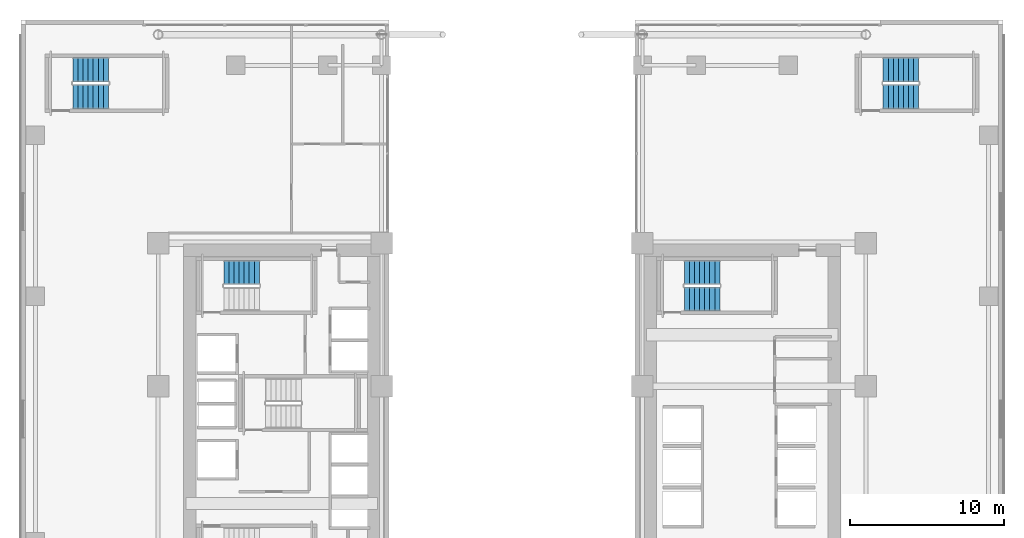
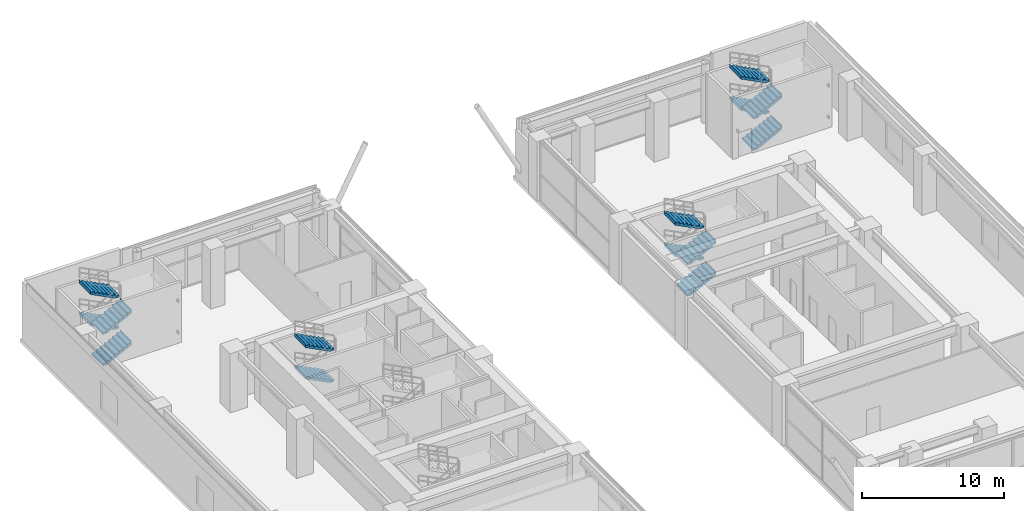
# One storey, part 23 of 29: 14 stair flights, 4 elements without a shape of their own.
"""IFC4 building model written with IfcOpenShell, lengths in metres."""

import ifcopenshell
import ifcopenshell.guid

model = None  # the IFC model being written
_history = None  # IfcOwnerHistory: only IFC2X3 demands one
_inside = {}  # id of a spatial element -> (the spatial element, [elements in it])
_under = {}  # id of a project, library or spatial element -> (it, [spatial elements below it])
_declared = {}  # id of a project -> (the project, [libraries it declares])
_typed = {}  # id of a type object -> (the type object, [elements of that type])
_made_of = {}  # id of a material, layer set ... -> (it, [elements and type objects made of it])


def new_model(schema):
    """Start an empty IFC model of exactly this schema.

    Asked for "IFC4X3", IfcOpenShell would pick the latest addendum, in which some entities
    have other attributes; the version numbers below select the first issue.
    IFC2X3 requires an IfcOwnerHistory on every rooted entity: one is made here for all.
    """
    global model, _history
    if schema == "IFC4X3":
        model = ifcopenshell.file(schema_version=(4, 3, 0, 0))
    else:
        model = ifcopenshell.file(schema=schema)
    _inside.clear()
    _under.clear()
    _declared.clear()
    _typed.clear()
    _made_of.clear()
    _history = None
    if model.schema == "IFC2X3":
        org = make("IfcOrganization", Name="unknown")
        user = make(
            "IfcPersonAndOrganization",
            ThePerson=make("IfcPerson", FamilyName="unknown"),
            TheOrganization=org,
        )
        app = make(
            "IfcApplication",
            ApplicationDeveloper=org,
            Version="unknown",
            ApplicationFullName="unknown",
            ApplicationIdentifier="unknown",
        )
        _history = make(
            "IfcOwnerHistory",
            OwningUser=user,
            OwningApplication=app,
            ChangeAction="ADDED",
            CreationDate=0,
        )
    return model


def make(cls, **values):
    """One entity of the class cls with the attributes given. An attribute that is None is left unset."""
    return model.create_entity(
        cls, **{name: value for name, value in values.items() if value is not None}
    )


def rooted(cls, **values):
    """An entity with a GlobalId (a new one), such as an element, a storey or a relation."""
    return make(cls, GlobalId=ifcopenshell.guid.new(), OwnerHistory=_history, **values)


def si_unit(unit_type, name, prefix=None):
    """IfcSIUnit, for example si_unit("LENGTHUNIT", "METRE", prefix="MILLI")."""
    return make("IfcSIUnit", UnitType=unit_type, Prefix=prefix, Name=name)


def assignment(units):
    """IfcUnitAssignment: the units of a project."""
    return None if units is None else make("IfcUnitAssignment", Units=units)


def point(xyz):
    """IfcCartesianPoint."""
    return None if xyz is None else make("IfcCartesianPoint", Coordinates=xyz)


def direction(xyz):
    """IfcDirection."""
    return None if xyz is None else make("IfcDirection", DirectionRatios=xyz)


def frame(location, z_axis=None, x_axis=None):
    """IfcAxis2Placement3D, a coordinate frame: its origin and axes. An axis left out is left unset."""
    return make(
        "IfcAxis2Placement3D",
        Location=point(location),
        Axis=direction(z_axis),
        RefDirection=direction(x_axis),
    )


def origin():
    """The frame at (0, 0, 0) with its axes left unset."""
    return frame((0.0, 0.0, 0.0))


def place(relative_to, where):
    """IfcLocalPlacement: puts the frame where relative to a parent placement (None: the world)."""
    return make(
        "IfcLocalPlacement", PlacementRelTo=relative_to, RelativePlacement=where
    )


def context(
    kind, dimensions, precision=None, world=None, true_north=None, identifier=None
):
    """IfcGeometricRepresentationContext, for example the 3D "Model" context."""
    return make(
        "IfcGeometricRepresentationContext",
        ContextIdentifier=identifier,
        ContextType=kind,
        CoordinateSpaceDimension=dimensions,
        Precision=precision,
        WorldCoordinateSystem=world,
        TrueNorth=true_north,
    )


def subcontext(parent, identifier, kind, view, scale=None):
    """IfcGeometricRepresentationSubContext, for example "Body" below "Model"."""
    return make(
        "IfcGeometricRepresentationSubContext",
        ContextIdentifier=identifier,
        ContextType=kind,
        ParentContext=parent,
        TargetScale=scale,
        TargetView=view,
    )


def project(units=None, contexts=None):
    """IfcProject with its units and contexts."""
    return rooted(
        "IfcProject",
        Name="project",
        RepresentationContexts=contexts,
        UnitsInContext=assignment(units),
    )


def spatial(cls, under=None, at=None, **own):
    """A site, building, storey or space (cls), placed at a placement, below another one or the project."""
    s = rooted(cls, ObjectPlacement=at, **own)
    if under is not None:
        _under.setdefault(under.id(), (under, []))[1].append(s)
    return s


def polyline(points):
    """IfcPolyline through the points."""
    return make("IfcPolyline", Points=[point(p) for p in points])


def outline(outer, holes=None, kind="AREA"):
    """IfcArbitraryClosedProfileDef: a profile drawn as a closed curve; with holes, ...WithVoids."""
    if holes is None:
        return make("IfcArbitraryClosedProfileDef", ProfileType=kind, OuterCurve=outer)
    return make(
        "IfcArbitraryProfileDefWithVoids",
        ProfileType=kind,
        OuterCurve=outer,
        InnerCurves=holes,
    )


def extrude(swept, where, along, depth):
    """IfcExtrudedAreaSolid: the profile swept, set in the frame where, extruded along a direction by depth."""
    return make(
        "IfcExtrudedAreaSolid",
        SweptArea=swept,
        Position=where,
        ExtrudedDirection=direction(along),
        Depth=depth,
    )


def shape(context_of_items, identifier, shape_type, items):
    """IfcShapeRepresentation: the items that make up one representation, for example the "Body"."""
    return make(
        "IfcShapeRepresentation",
        ContextOfItems=context_of_items,
        RepresentationIdentifier=identifier,
        RepresentationType=shape_type,
        Items=items,
    )


def source(mapping_origin, context_of_items, identifier, shape_type, items):
    """IfcRepresentationMap: a shape defined once, which mapped items show again and again."""
    return make(
        "IfcRepresentationMap",
        MappingOrigin=mapping_origin,
        MappedRepresentation=shape(context_of_items, identifier, shape_type, items),
    )


def transform(
    local_origin,
    x_axis=None,
    y_axis=None,
    z_axis=None,
    scale=None,
    scale2=None,
    scale3=None,
    uniform=True,
):
    """IfcCartesianTransformationOperator3D, or its non-uniform kind. x_axis, y_axis, z_axis: its Axis1, 2, 3."""
    if uniform:
        return make(
            "IfcCartesianTransformationOperator3D",
            Axis1=direction(x_axis),
            Axis2=direction(y_axis),
            LocalOrigin=point(local_origin),
            Scale=scale,
            Axis3=direction(z_axis),
        )
    return make(
        "IfcCartesianTransformationOperator3DnonUniform",
        Axis1=direction(x_axis),
        Axis2=direction(y_axis),
        LocalOrigin=point(local_origin),
        Scale=scale,
        Axis3=direction(z_axis),
        Scale2=scale2,
        Scale3=scale3,
    )


def mapped(mapping_source, mapping_target):
    """IfcMappedItem: shows the shape of a source again, moved by a transform."""
    return make(
        "IfcMappedItem", MappingSource=mapping_source, MappingTarget=mapping_target
    )


def material(Name=None, Category=None):
    """IfcMaterial."""
    return make("IfcMaterial", Name=Name, Category=Category)


def made_of(thing, what):
    """Note that an element or type object is made of a material, layer set ...; save() writes the relation."""
    if what is not None:
        _made_of.setdefault(what.id(), (what, []))[1].append(thing)
    return thing


def type_object(cls, material=None, **own):
    """A type object (cls), such as IfcWallType, which elements share."""
    return made_of(rooted(cls, **own), material)


def element(
    cls,
    number,
    at=None,
    inside=None,
    cuts=None,
    type_object=None,
    material=None,
    context=None,
    identifier="Body",
    shape_type=None,
    held_by="IfcProductDefinitionShape",
    body=None,
    shapes=None,
    **own,
):
    """One element of the class cls, such as IfcWall. Its Tag is "e" and its number.

    at: its placement. inside: the storey or other place that contains it. cuts: it is an
    opening in that element (IfcRelVoidsElement). A single representation is given by context,
    identifier, shape_type and body (its items); several are given by shapes. held_by: the class
    of the entity that holds the representations. save() writes the other relations.
    """
    e = rooted(cls, Tag="e%d" % number, ObjectPlacement=at, **own)
    if body is not None:
        shapes = [shape(context, identifier, shape_type, body)]
    if shapes is not None:
        e.Representation = make(held_by, Representations=shapes)
    if inside is not None:
        _inside.setdefault(inside.id(), (inside, []))[1].append(e)
    if cuts is not None:
        rooted(
            "IfcRelVoidsElement", RelatingBuildingElement=cuts, RelatedOpeningElement=e
        )
    if type_object is not None:
        _typed.setdefault(type_object.id(), (type_object, []))[1].append(e)
    return made_of(e, material)


def aggregate(whole, parts):
    """IfcRelAggregates: a whole, such as a stair, and the parts it consists of."""
    return rooted("IfcRelAggregates", RelatingObject=whole, RelatedObjects=parts)


def save(model, path):
    """Write the relations noted so far, then the file.

    IfcRelAggregates (storeys below a building ...), IfcRelContainedInSpatialStructure (elements
    in a storey), IfcRelDefinesByType, IfcRelAssociatesMaterial and IfcRelDeclares: one each for
    every whole, place, type object, material and project.
    """
    for whole, parts in _under.values():
        aggregate(whole, parts)
    for where, things in _inside.values():
        rooted(
            "IfcRelContainedInSpatialStructure",
            RelatedElements=things,
            RelatingStructure=where,
        )
    for kind, things in _typed.values():
        rooted("IfcRelDefinesByType", RelatedObjects=things, RelatingType=kind)
    for what, things in _made_of.values():
        rooted("IfcRelAssociatesMaterial", RelatedObjects=things, RelatingMaterial=what)
    for by, libraries in _declared.values():
        rooted("IfcRelDeclares", RelatingContext=by, RelatedDefinitions=libraries)
    model.write(path)


model = new_model("IFC4")

# Units and contexts
model_context = context("Model", 3, precision=1e-05, world=origin(), true_north=direction((0.0, 1.0)))
body_context = subcontext(model_context, "Body", "Model", "MODEL_VIEW")
ifc_project = project(units=[si_unit("LENGTHUNIT", "METRE"), si_unit("AREAUNIT", "SQUARE_METRE"), si_unit("VOLUMEUNIT", "CUBIC_METRE"), si_unit("PLANEANGLEUNIT", "RADIAN"), si_unit("MASSUNIT", "GRAM", prefix="KILO")], contexts=[model_context])

# Site, building, storey
site_placement = place(None, origin())
site = spatial("IfcSite", under=ifc_project, at=site_placement, CompositionType="ELEMENT")
building_placement = place(site_placement, origin())
building = spatial("IfcBuilding", under=site, at=building_placement, Name="Ocotamira Hotel", CompositionType="ELEMENT")
storey_placement = place(building_placement, frame((0.0, 0.0, 6.0)))
storey = spatial("IfcBuildingStorey", under=building, at=storey_placement, Name="L02", CompositionType="ELEMENT", Elevation=6.0)

# Stair, stair flights
ifc_material = material(Name="Concrete C40/50", Category="concrete")
stair_type_1 = type_object("IfcStairType", Name="ST-CORE-1560", PredefinedType="HALF_TURN_STAIR", material=ifc_material)
stair_1_placement = place(storey_placement, origin())
stair_1 = element("IfcStair", 1, at=stair_1_placement, inside=storey, type_object=stair_type_1, Name="L02 Exit Stair ST-2", PredefinedType="HALF_TURN_STAIR")
stair_flight_type_1 = type_object("IfcStairFlightType", Name="STF-CORE-1560", PredefinedType="STRAIGHT", material=ifc_material)
shared_shape_1 = source(origin(), body_context, "Body", "SweptSolid", [
    extrude(outline(polyline([(-0.00390625, 0.0), (-0.00390625, 0.168701171875), (0.330078125, 0.168701171875), (0.330078125, 0.33740234375), (0.659912109375, 0.33740234375), (0.659912109375, 0.50634765625), (0.989990234375, 0.50634765625), (0.989990234375, 0.675048828125), (1.320068359375, 0.675048828125), (1.320068359375, 0.84375), (1.64990234375, 0.84375), (1.64990234375, 1.012451171875), (1.97998046875, 1.012451171875), (1.97998046875, 1.18115234375), (2.31005859375, 1.18115234375), (2.31005859375, 1.35009765625), (2.31396484375, 1.35009765625), (2.31396484375, 1.012939453125), (0.329345703125, 0.0), (-0.00390625, 0.0)])), frame((0.0, 0.780029296875, 0.0), z_axis=(0.0, -1.0, 0.0), x_axis=(1.0, 0.0, 0.0)), (0.0, 0.0, 1.0), 1.56005859375),
])
stair_flight_1_placement = place(storey_placement, frame((15.5400390625, 35.550048828125, 1.35009765625), z_axis=(0.0, 0.0, 1.0), x_axis=(-1.0, 0.0, 0.0)))
stair_flight_1 = element("IfcStairFlight", 2, at=stair_flight_1_placement, type_object=stair_flight_type_1, Name="ST-2 flight 2", NumberOfRisers=8, NumberOfTreads=7, PredefinedType="STRAIGHT", RiserHeight=0.16875, TreadLength=0.33, context=body_context, shape_type="MappedRepresentation", body=[
    mapped(shared_shape_1, transform((0.0, 0.0, 0.0), scale=1.0)),
])
stair_flight_2_placement = place(storey_placement, frame((15.5400390625, 35.550048828125, 4.050048828125), z_axis=(0.0, 0.0, 1.0), x_axis=(-1.0, 0.0, 0.0)))
stair_flight_2 = element("IfcStairFlight", 3, at=stair_flight_2_placement, type_object=stair_flight_type_1, Name="ST-2 flight 4", NumberOfRisers=8, NumberOfTreads=7, PredefinedType="STRAIGHT", RiserHeight=0.16875, TreadLength=0.33, context=body_context, shape_type="MappedRepresentation", body=[
    mapped(shared_shape_1, transform((0.0, 0.0, 0.0), scale=1.0)),
])
aggregate(stair_1, [stair_flight_1, stair_flight_2])

stair_2_placement = place(storey_placement, origin())
stair_2 = element("IfcStair", 4, at=stair_2_placement, inside=storey, type_object=stair_type_1, Name="L02 Exit Stair ST-4", PredefinedType="HALF_TURN_STAIR")
stair_flight_3_placement = place(storey_placement, frame((43.22998046875, 33.830078125, 0.0), z_axis=(0.0, 0.0, 1.0), x_axis=(1.0, 0.0, 0.0)))
stair_flight_3 = element("IfcStairFlight", 5, at=stair_flight_3_placement, type_object=stair_flight_type_1, Name="ST-4 flight 1", NumberOfRisers=8, NumberOfTreads=7, PredefinedType="STRAIGHT", RiserHeight=0.16875, TreadLength=0.33, context=body_context, shape_type="MappedRepresentation", body=[
    mapped(shared_shape_1, transform((0.0, 0.0, 0.0), scale=1.0)),
])
stair_flight_4_placement = place(storey_placement, frame((45.5400390625, 35.550048828125, 1.35009765625), z_axis=(0.0, 0.0, 1.0), x_axis=(-1.0, 0.0, 0.0)))
stair_flight_4 = element("IfcStairFlight", 6, at=stair_flight_4_placement, type_object=stair_flight_type_1, Name="ST-4 flight 2", NumberOfRisers=8, NumberOfTreads=7, PredefinedType="STRAIGHT", RiserHeight=0.16875, TreadLength=0.33, context=body_context, shape_type="MappedRepresentation", body=[
    mapped(shared_shape_1, transform((0.0, 0.0, 0.0), scale=1.0)),
])
stair_flight_5_placement = place(storey_placement, frame((43.22998046875, 33.830078125, 2.699951171875), z_axis=(0.0, 0.0, 1.0), x_axis=(1.0, 0.0, 0.0)))
stair_flight_5 = element("IfcStairFlight", 7, at=stair_flight_5_placement, type_object=stair_flight_type_1, Name="ST-4 flight 3", NumberOfRisers=8, NumberOfTreads=7, PredefinedType="STRAIGHT", RiserHeight=0.16875, TreadLength=0.33, context=body_context, shape_type="MappedRepresentation", body=[
    mapped(shared_shape_1, transform((0.0, 0.0, 0.0), scale=1.0)),
])
stair_flight_6_placement = place(storey_placement, frame((45.5400390625, 35.550048828125, 4.050048828125), z_axis=(0.0, 0.0, 1.0), x_axis=(-1.0, 0.0, 0.0)))
stair_flight_6 = element("IfcStairFlight", 8, at=stair_flight_6_placement, type_object=stair_flight_type_1, Name="ST-4 flight 4", NumberOfRisers=8, NumberOfTreads=7, PredefinedType="STRAIGHT", RiserHeight=0.16875, TreadLength=0.33, context=body_context, shape_type="MappedRepresentation", body=[
    mapped(shared_shape_1, transform((0.0, 0.0, 0.0), scale=1.0)),
])
aggregate(stair_2, [stair_flight_3, stair_flight_4, stair_flight_5, stair_flight_6])

stair_type_2 = type_object("IfcStairType", Name="ST-POD-1600", PredefinedType="HALF_TURN_STAIR", material=ifc_material)
stair_3_placement = place(storey_placement, origin())
stair_3 = element("IfcStair", 9, at=stair_3_placement, inside=storey, type_object=stair_type_2, Name="L02 Exit Stair ST-5", PredefinedType="HALF_TURN_STAIR")
stair_flight_type_2 = type_object("IfcStairFlightType", Name="STF-POD-1600", PredefinedType="STRAIGHT", material=ifc_material)
shared_shape_2 = source(origin(), body_context, "Body", "SweptSolid", [
    extrude(outline(polyline([(-0.00390625, 0.0), (-0.00390625, 0.168701171875), (0.330078125, 0.168701171875), (0.330078125, 0.33740234375), (0.659912109375, 0.33740234375), (0.659912109375, 0.50634765625), (0.989990234375, 0.50634765625), (0.989990234375, 0.675048828125), (1.320068359375, 0.675048828125), (1.320068359375, 0.84375), (1.64990234375, 0.84375), (1.64990234375, 1.012451171875), (1.97998046875, 1.012451171875), (1.97998046875, 1.18115234375), (2.31005859375, 1.18115234375), (2.31005859375, 1.35009765625), (2.31396484375, 1.35009765625), (2.31396484375, 1.012939453125), (0.329345703125, 0.0), (-0.00390625, 0.0)])), frame((0.0, 0.800048828125, 0.0), z_axis=(0.0, -1.0, 0.0), x_axis=(1.0, 0.0, 0.0)), (0.0, 0.0, 1.0), 1.60009765625),
])
stair_flight_7_placement = place(storey_placement, frame((3.39990234375, 47.0, 0.0), z_axis=(0.0, 0.0, 1.0), x_axis=(1.0, 0.0, 0.0)))
stair_flight_7 = element("IfcStairFlight", 10, at=stair_flight_7_placement, type_object=stair_flight_type_2, Name="ST-5 flight 1", NumberOfRisers=8, NumberOfTreads=7, PredefinedType="STRAIGHT", RiserHeight=0.16875, TreadLength=0.33, context=body_context, shape_type="MappedRepresentation", body=[
    mapped(shared_shape_2, transform((0.0, 0.0, 0.0), scale=1.0)),
])
stair_flight_8_placement = place(storey_placement, frame((5.7099609375, 48.760009765625, 1.35009765625), z_axis=(0.0, 0.0, 1.0), x_axis=(-1.0, 0.0, 0.0)))
stair_flight_8 = element("IfcStairFlight", 11, at=stair_flight_8_placement, type_object=stair_flight_type_2, Name="ST-5 flight 2", NumberOfRisers=8, NumberOfTreads=7, PredefinedType="STRAIGHT", RiserHeight=0.16875, TreadLength=0.33, context=body_context, shape_type="MappedRepresentation", body=[
    mapped(shared_shape_2, transform((0.0, 0.0, 0.0), scale=1.0)),
])
stair_flight_9_placement = place(storey_placement, frame((3.39990234375, 47.0, 2.699951171875), z_axis=(0.0, 0.0, 1.0), x_axis=(1.0, 0.0, 0.0)))
stair_flight_9 = element("IfcStairFlight", 12, at=stair_flight_9_placement, type_object=stair_flight_type_2, Name="ST-5 flight 3", NumberOfRisers=8, NumberOfTreads=7, PredefinedType="STRAIGHT", RiserHeight=0.16875, TreadLength=0.33, context=body_context, shape_type="MappedRepresentation", body=[
    mapped(shared_shape_2, transform((0.0, 0.0, 0.0), scale=1.0)),
])
stair_flight_10_placement = place(storey_placement, frame((5.7099609375, 48.760009765625, 4.050048828125), z_axis=(0.0, 0.0, 1.0), x_axis=(-1.0, 0.0, 0.0)))
stair_flight_10 = element("IfcStairFlight", 13, at=stair_flight_10_placement, type_object=stair_flight_type_2, Name="ST-5 flight 4", NumberOfRisers=8, NumberOfTreads=7, PredefinedType="STRAIGHT", RiserHeight=0.16875, TreadLength=0.33, context=body_context, shape_type="MappedRepresentation", body=[
    mapped(shared_shape_2, transform((0.0, 0.0, 0.0), scale=1.0)),
])
aggregate(stair_3, [stair_flight_7, stair_flight_8, stair_flight_9, stair_flight_10])

stair_4_placement = place(storey_placement, origin())
stair_4 = element("IfcStair", 14, at=stair_4_placement, inside=storey, type_object=stair_type_2, Name="L02 Exit Stair ST-6", PredefinedType="HALF_TURN_STAIR")
stair_flight_11_placement = place(storey_placement, frame((56.179931640625, 47.0, 0.0), z_axis=(0.0, 0.0, 1.0), x_axis=(1.0, 0.0, 0.0)))
stair_flight_11 = element("IfcStairFlight", 15, at=stair_flight_11_placement, type_object=stair_flight_type_2, Name="ST-6 flight 1", NumberOfRisers=8, NumberOfTreads=7, PredefinedType="STRAIGHT", RiserHeight=0.16875, TreadLength=0.33, context=body_context, shape_type="MappedRepresentation", body=[
    mapped(shared_shape_2, transform((0.0, 0.0, 0.0), scale=1.0)),
])
stair_flight_12_placement = place(storey_placement, frame((58.489990234375, 48.760009765625, 1.35009765625), z_axis=(0.0, 0.0, 1.0), x_axis=(-1.0, 0.0, 0.0)))
stair_flight_12 = element("IfcStairFlight", 16, at=stair_flight_12_placement, type_object=stair_flight_type_2, Name="ST-6 flight 2", NumberOfRisers=8, NumberOfTreads=7, PredefinedType="STRAIGHT", RiserHeight=0.16875, TreadLength=0.33, context=body_context, shape_type="MappedRepresentation", body=[
    mapped(shared_shape_2, transform((0.0, 0.0, 0.0), scale=1.0)),
])
stair_flight_13_placement = place(storey_placement, frame((56.179931640625, 47.0, 2.699951171875), z_axis=(0.0, 0.0, 1.0), x_axis=(1.0, 0.0, 0.0)))
stair_flight_13 = element("IfcStairFlight", 17, at=stair_flight_13_placement, type_object=stair_flight_type_2, Name="ST-6 flight 3", NumberOfRisers=8, NumberOfTreads=7, PredefinedType="STRAIGHT", RiserHeight=0.16875, TreadLength=0.33, context=body_context, shape_type="MappedRepresentation", body=[
    mapped(shared_shape_2, transform((0.0, 0.0, 0.0), scale=1.0)),
])
stair_flight_14_placement = place(storey_placement, frame((58.489990234375, 48.760009765625, 4.050048828125), z_axis=(0.0, 0.0, 1.0), x_axis=(-1.0, 0.0, 0.0)))
stair_flight_14 = element("IfcStairFlight", 18, at=stair_flight_14_placement, type_object=stair_flight_type_2, Name="ST-6 flight 4", NumberOfRisers=8, NumberOfTreads=7, PredefinedType="STRAIGHT", RiserHeight=0.16875, TreadLength=0.33, context=body_context, shape_type="MappedRepresentation", body=[
    mapped(shared_shape_2, transform((0.0, 0.0, 0.0), scale=1.0)),
])
aggregate(stair_4, [stair_flight_11, stair_flight_12, stair_flight_13, stair_flight_14])

save(model, "model.ifc")
